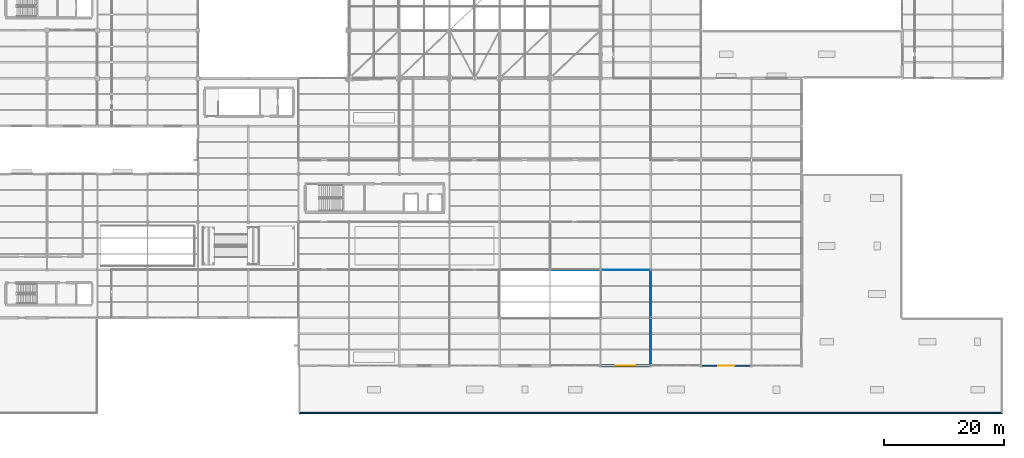
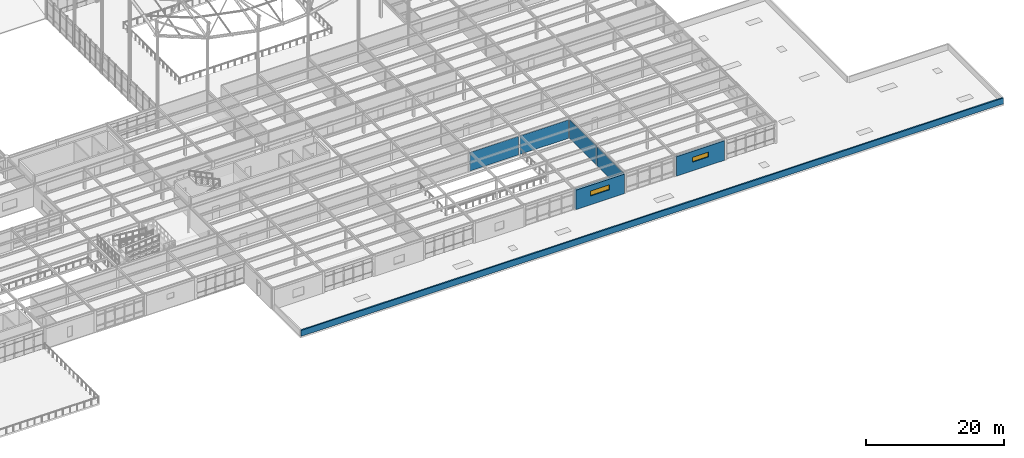
# One storey, part 71 of 138: 7 walls, 2 windows, 2 openings.
"""IFC4 building model written with IfcOpenShell, lengths in metres."""

import ifcopenshell
import ifcopenshell.guid

model = None  # the IFC model being written
_history = None  # IfcOwnerHistory: only IFC2X3 demands one
_inside = {}  # id of a spatial element -> (the spatial element, [elements in it])
_under = {}  # id of a project, library or spatial element -> (it, [spatial elements below it])
_declared = {}  # id of a project -> (the project, [libraries it declares])
_typed = {}  # id of a type object -> (the type object, [elements of that type])
_made_of = {}  # id of a material, layer set ... -> (it, [elements and type objects made of it])


def new_model(schema):
    """Start an empty IFC model of exactly this schema.

    Asked for "IFC4X3", IfcOpenShell would pick the latest addendum, in which some entities
    have other attributes; the version numbers below select the first issue.
    IFC2X3 requires an IfcOwnerHistory on every rooted entity: one is made here for all.
    """
    global model, _history
    if schema == "IFC4X3":
        model = ifcopenshell.file(schema_version=(4, 3, 0, 0))
    else:
        model = ifcopenshell.file(schema=schema)
    _inside.clear()
    _under.clear()
    _declared.clear()
    _typed.clear()
    _made_of.clear()
    _history = None
    if model.schema == "IFC2X3":
        org = make("IfcOrganization", Name="unknown")
        user = make(
            "IfcPersonAndOrganization",
            ThePerson=make("IfcPerson", FamilyName="unknown"),
            TheOrganization=org,
        )
        app = make(
            "IfcApplication",
            ApplicationDeveloper=org,
            Version="unknown",
            ApplicationFullName="unknown",
            ApplicationIdentifier="unknown",
        )
        _history = make(
            "IfcOwnerHistory",
            OwningUser=user,
            OwningApplication=app,
            ChangeAction="ADDED",
            CreationDate=0,
        )
    return model


def make(cls, **values):
    """One entity of the class cls with the attributes given. An attribute that is None is left unset."""
    return model.create_entity(
        cls, **{name: value for name, value in values.items() if value is not None}
    )


def rooted(cls, **values):
    """An entity with a GlobalId (a new one), such as an element, a storey or a relation."""
    return make(cls, GlobalId=ifcopenshell.guid.new(), OwnerHistory=_history, **values)


def si_unit(unit_type, name, prefix=None):
    """IfcSIUnit, for example si_unit("LENGTHUNIT", "METRE", prefix="MILLI")."""
    return make("IfcSIUnit", UnitType=unit_type, Prefix=prefix, Name=name)


def assignment(units):
    """IfcUnitAssignment: the units of a project."""
    return None if units is None else make("IfcUnitAssignment", Units=units)


def point(xyz):
    """IfcCartesianPoint."""
    return None if xyz is None else make("IfcCartesianPoint", Coordinates=xyz)


def direction(xyz):
    """IfcDirection."""
    return None if xyz is None else make("IfcDirection", DirectionRatios=xyz)


def frame(location, z_axis=None, x_axis=None):
    """IfcAxis2Placement3D, a coordinate frame: its origin and axes. An axis left out is left unset."""
    return make(
        "IfcAxis2Placement3D",
        Location=point(location),
        Axis=direction(z_axis),
        RefDirection=direction(x_axis),
    )


def frame_2d(location, x_axis=None):
    """IfcAxis2Placement2D, a coordinate frame in the plane: its origin and x axis."""
    return make(
        "IfcAxis2Placement2D", Location=point(location), RefDirection=direction(x_axis)
    )


def origin():
    """The frame at (0, 0, 0) with its axes left unset."""
    return frame((0.0, 0.0, 0.0))


def place(relative_to, where):
    """IfcLocalPlacement: puts the frame where relative to a parent placement (None: the world)."""
    return make(
        "IfcLocalPlacement", PlacementRelTo=relative_to, RelativePlacement=where
    )


def context(
    kind, dimensions, precision=None, world=None, true_north=None, identifier=None
):
    """IfcGeometricRepresentationContext, for example the 3D "Model" context."""
    return make(
        "IfcGeometricRepresentationContext",
        ContextIdentifier=identifier,
        ContextType=kind,
        CoordinateSpaceDimension=dimensions,
        Precision=precision,
        WorldCoordinateSystem=world,
        TrueNorth=true_north,
    )


def subcontext(parent, identifier, kind, view, scale=None):
    """IfcGeometricRepresentationSubContext, for example "Body" below "Model"."""
    return make(
        "IfcGeometricRepresentationSubContext",
        ContextIdentifier=identifier,
        ContextType=kind,
        ParentContext=parent,
        TargetScale=scale,
        TargetView=view,
    )


def project(units=None, contexts=None):
    """IfcProject with its units and contexts."""
    return rooted(
        "IfcProject",
        Name="project",
        RepresentationContexts=contexts,
        UnitsInContext=assignment(units),
    )


def spatial(cls, under=None, at=None, **own):
    """A site, building, storey or space (cls), placed at a placement, below another one or the project."""
    s = rooted(cls, ObjectPlacement=at, **own)
    if under is not None:
        _under.setdefault(under.id(), (under, []))[1].append(s)
    return s


def profile(cls, at=None, kind="AREA", **sizes):
    """A parametric profile (cls). Its sizes go by their IFC names, for example OverallWidth=200.0."""
    return make(cls, ProfileType=kind, Position=at, **sizes)


def rectangle(**sizes):
    """IfcRectangleProfileDef."""
    return profile("IfcRectangleProfileDef", **sizes)


def extrude(swept, where, along, depth):
    """IfcExtrudedAreaSolid: the profile swept, set in the frame where, extruded along a direction by depth."""
    return make(
        "IfcExtrudedAreaSolid",
        SweptArea=swept,
        Position=where,
        ExtrudedDirection=direction(along),
        Depth=depth,
    )


def shape(context_of_items, identifier, shape_type, items):
    """IfcShapeRepresentation: the items that make up one representation, for example the "Body"."""
    return make(
        "IfcShapeRepresentation",
        ContextOfItems=context_of_items,
        RepresentationIdentifier=identifier,
        RepresentationType=shape_type,
        Items=items,
    )


def material(Name=None, Category=None):
    """IfcMaterial."""
    return make("IfcMaterial", Name=Name, Category=Category)


def layer(
    of_material, thickness, ventilated=None, Name=None, Category=None, Priority=None
):
    """IfcMaterialLayer: one layer of a wall or slab, of a material (None: an air gap)."""
    return make(
        "IfcMaterialLayer",
        Material=of_material,
        LayerThickness=thickness,
        IsVentilated=ventilated,
        Name=Name,
        Category=Category,
        Priority=Priority,
    )


def layer_set(layers, Name=None):
    """IfcMaterialLayerSet."""
    return make("IfcMaterialLayerSet", MaterialLayers=layers, LayerSetName=Name)


def made_of(thing, what):
    """Note that an element or type object is made of a material, layer set ...; save() writes the relation."""
    if what is not None:
        _made_of.setdefault(what.id(), (what, []))[1].append(thing)
    return thing


def type_object(cls, material=None, **own):
    """A type object (cls), such as IfcWallType, which elements share."""
    return made_of(rooted(cls, **own), material)


def element(
    cls,
    number,
    at=None,
    inside=None,
    cuts=None,
    type_object=None,
    material=None,
    context=None,
    identifier="Body",
    shape_type=None,
    held_by="IfcProductDefinitionShape",
    body=None,
    shapes=None,
    **own,
):
    """One element of the class cls, such as IfcWall. Its Tag is "e" and its number.

    at: its placement. inside: the storey or other place that contains it. cuts: it is an
    opening in that element (IfcRelVoidsElement). A single representation is given by context,
    identifier, shape_type and body (its items); several are given by shapes. held_by: the class
    of the entity that holds the representations. save() writes the other relations.
    """
    e = rooted(cls, Tag="e%d" % number, ObjectPlacement=at, **own)
    if body is not None:
        shapes = [shape(context, identifier, shape_type, body)]
    if shapes is not None:
        e.Representation = make(held_by, Representations=shapes)
    if inside is not None:
        _inside.setdefault(inside.id(), (inside, []))[1].append(e)
    if cuts is not None:
        rooted(
            "IfcRelVoidsElement", RelatingBuildingElement=cuts, RelatedOpeningElement=e
        )
    if type_object is not None:
        _typed.setdefault(type_object.id(), (type_object, []))[1].append(e)
    return made_of(e, material)


def fill(opening, filler):
    """IfcRelFillsElement: the door or window that sits in an opening."""
    return rooted(
        "IfcRelFillsElement",
        RelatingOpeningElement=opening,
        RelatedBuildingElement=filler,
    )


def aggregate(whole, parts):
    """IfcRelAggregates: a whole, such as a stair, and the parts it consists of."""
    return rooted("IfcRelAggregates", RelatingObject=whole, RelatedObjects=parts)


def save(model, path):
    """Write the relations noted so far, then the file.

    IfcRelAggregates (storeys below a building ...), IfcRelContainedInSpatialStructure (elements
    in a storey), IfcRelDefinesByType, IfcRelAssociatesMaterial and IfcRelDeclares: one each for
    every whole, place, type object, material and project.
    """
    for whole, parts in _under.values():
        aggregate(whole, parts)
    for where, things in _inside.values():
        rooted(
            "IfcRelContainedInSpatialStructure",
            RelatedElements=things,
            RelatingStructure=where,
        )
    for kind, things in _typed.values():
        rooted("IfcRelDefinesByType", RelatedObjects=things, RelatingType=kind)
    for what, things in _made_of.values():
        rooted("IfcRelAssociatesMaterial", RelatedObjects=things, RelatingMaterial=what)
    for by, libraries in _declared.values():
        rooted("IfcRelDeclares", RelatingContext=by, RelatedDefinitions=libraries)
    model.write(path)


model = new_model("IFC4")

# Units and contexts
model_context = context("Model", 3, precision=1e-05, world=origin(), true_north=direction((0.0, 1.0)))
body_context = subcontext(model_context, "Body", "Model", "MODEL_VIEW")
ifc_project = project(units=[si_unit("LENGTHUNIT", "METRE"), si_unit("AREAUNIT", "SQUARE_METRE"), si_unit("VOLUMEUNIT", "CUBIC_METRE"), si_unit("PLANEANGLEUNIT", "RADIAN"), si_unit("MASSUNIT", "GRAM", prefix="KILO")], contexts=[model_context])

# Site, building, storey
site_placement = place(None, origin())
site = spatial("IfcSite", under=ifc_project, at=site_placement, CompositionType="ELEMENT")
building_placement = place(site_placement, origin())
building = spatial("IfcBuilding", under=site, at=building_placement, Name="Kranzveld Transit Interchange", CompositionType="ELEMENT")
storey_placement = place(building_placement, frame((0.0, 0.0, 5.43994140625)))
storey = spatial("IfcBuildingStorey", under=building, at=storey_placement, Name="L01", CompositionType="ELEMENT", Elevation=5.43994140625)

# Wall, opening, window
ifc_material_1 = material(Name="Pretoria red-purple clinker clay face brick, 35 MPa", Category="masonry")
ifc_layer_1 = layer(ifc_material_1, 0.3798828125)
ifc_layer_set_1 = layer_set([ifc_layer_1], Name="Pretoria red-purple clinker clay face brick, 35 MPa")
wall_type_1 = type_object("IfcWallType", Name="Exterior Cavity Wall Red Clinker 380", PredefinedType="SOLIDWALL", material=ifc_layer_set_1)
wall_1_placement = place(storey_placement, frame((100.95458984375, 8.0, 0.0), z_axis=(0.0, 0.0, 1.0), x_axis=(1.0, 0.0, 0.0)))
wall_1 = element("IfcWall", 1, at=wall_1_placement, inside=storey, type_object=wall_type_1, Name="L01 Clinker Facade Wall 13/B-14/B", PredefinedType="SOLIDWALL", context=body_context, shape_type="SweptSolid", body=[
    extrude(rectangle(XDim=8.0908203125, YDim=0.3798828125, at=frame_2d((4.04541015625, 0.0))), origin(), (0.0, 0.0, 1.0), 3.449951171875),
])
opening_1_placement = place(wall_1_placement, frame((2.4453125, 0.0, 1.550048828125), z_axis=(0.0, 0.0, 1.0), x_axis=(1.0, 0.0, 0.0)))
opening_1 = element("IfcOpeningElement", 2, at=opening_1_placement, cuts=wall_1, Name="Opening W-14", PredefinedType="OPENING", context=body_context, shape_type="SweptSolid", body=[
    extrude(rectangle(XDim=3.199951171875, YDim=0.89990234375, at=frame_2d((1.60009765625, 0.449951171875))), frame((0.0, 0.199951171875, 0.0), z_axis=(0.0, -1.0, 0.0), x_axis=(1.0, 0.0, 0.0)), (0.0, 0.0, 1.0), 0.39990234375),
])
ifc_material_2 = material(Name="Solar-control double glazing", Category="glass")
window_type_1 = type_object("IfcWindowType", Name="Window Clerestory 3200x900", PartitioningType="TRIPLE_PANEL_HORIZONTAL", PredefinedType="WINDOW", material=ifc_material_2)
window_1_placement = place(opening_1_placement, origin())
window_1 = element("IfcWindow", 3, at=window_1_placement, inside=storey, type_object=window_type_1, Name="L01 Facade Window 13/B", OverallHeight=0.89990234375, OverallWidth=3.199951171875, PartitioningType="TRIPLE_PANEL_HORIZONTAL", PredefinedType="WINDOW", context=body_context, shape_type="SweptSolid", body=[
    extrude(rectangle(XDim=3.199951171875, YDim=0.89990234375, at=frame_2d((1.60009765625, 0.449951171875))), frame((0.0, 0.030029296875, 0.0), z_axis=(0.0, -1.0, 0.0), x_axis=(1.0, 0.0, 0.0)), (0.0, 0.0, 1.0), 0.06005859375),
])
fill(opening_1, window_1)

ifc_material_3 = material(Name="Ochre Pretoria sandstone cladding, 45 MPa", Category="masonry")
ifc_layer_2 = layer(ifc_material_3, 0.300048828125)
ifc_layer_set_2 = layer_set([ifc_layer_2], Name="Ochre Pretoria sandstone cladding, 45 MPa")
wall_type_2 = type_object("IfcWallType", Name="Exterior Sandstone Spandrel Wall 300", PredefinedType="SOLIDWALL", material=ifc_layer_set_2)
wall_2_placement = place(storey_placement, frame((117.754638671875, 8.0, 0.0), z_axis=(0.0, 0.0, 1.0), x_axis=(1.0, 0.0, 0.0)))
wall_2 = element("IfcWall", 4, at=wall_2_placement, inside=storey, type_object=wall_type_2, Name="L01 Clinker Facade Wall 15/B-16/B", PredefinedType="SOLIDWALL", context=body_context, shape_type="SweptSolid", body=[
    extrude(rectangle(XDim=8.0908203125, YDim=0.300048828125, at=frame_2d((4.04541015625, 0.0))), origin(), (0.0, 0.0, 1.0), 3.449951171875),
])
opening_2_placement = place(wall_2_placement, frame((2.745361328125, 0.0, 1.550048828125), z_axis=(0.0, 0.0, 1.0), x_axis=(1.0, 0.0, 0.0)))
opening_2 = element("IfcOpeningElement", 5, at=opening_2_placement, cuts=wall_2, Name="Opening W-15", PredefinedType="OPENING", context=body_context, shape_type="SweptSolid", body=[
    extrude(rectangle(XDim=2.60009765625, YDim=0.85009765625, at=frame_2d((1.300048828125, 0.425048828125))), frame((0.0, 0.159912109375, 0.0), z_axis=(0.0, -1.0, 0.0), x_axis=(1.0, 0.0, 0.0)), (0.0, 0.0, 1.0), 0.320068359375),
])
ifc_material_4 = material(Name="Solar-control double glazing", Category="glass")
window_type_2 = type_object("IfcWindowType", Name="Window Clerestory 2600x850", PartitioningType="DOUBLE_PANEL_HORIZONTAL", PredefinedType="WINDOW", material=ifc_material_4)
window_2_placement = place(opening_2_placement, origin())
window_2 = element("IfcWindow", 6, at=window_2_placement, inside=storey, type_object=window_type_2, Name="L01 Facade Window 15/B", OverallHeight=0.85009765625, OverallWidth=2.60009765625, PartitioningType="DOUBLE_PANEL_HORIZONTAL", PredefinedType="WINDOW", context=body_context, shape_type="SweptSolid", body=[
    extrude(rectangle(XDim=2.60009765625, YDim=0.85009765625, at=frame_2d((1.300048828125, 0.425048828125))), frame((0.0, 0.030029296875, 0.0), z_axis=(0.0, -1.0, 0.0), x_axis=(1.0, 0.0, 0.0)), (0.0, 0.0, 1.0), 0.06005859375),
])
fill(opening_2, window_2)

# Walls
ifc_material_5 = material(Name="Clay masonry unit wall, 20 MPa", Category="masonry")
ifc_layer_3 = layer(ifc_material_5, 0.114990234375)
ifc_layer_set_3 = layer_set([ifc_layer_3], Name="Clay masonry unit wall, 20 MPa")
wall_type_3 = type_object("IfcWallType", Name="Internal Masonry Partition 115", PredefinedType="PARTITIONING", material=ifc_layer_set_3)
for number, where, z_axis, x_axis, name in (
    (7, (92.544677734375, 24.0, 0.0), (0.0, 0.0, 1.0), (1.0, 0.0, 0.0), "L01 Partition IW-L01-L01V2N-BCK-132-0"),
    (8, (100.944580078125, 24.0, 0.0), (0.0, 0.0, 1.0), (1.0, 0.0, 0.0), "L01 Partition IW-L01-L01V2N-BCK-132-1"),
):
    element("IfcWall", number, at=place(storey_placement, frame(where, z_axis=z_axis, x_axis=x_axis)), inside=storey, type_object=wall_type_3, Name=name, PredefinedType="PARTITIONING", context=body_context, shape_type="SweptSolid", body=[
        extrude(rectangle(XDim=8.11083984375, YDim=0.114990234375, at=frame_2d((4.055419921875, 0.0))), origin(), (0.0, 0.0, 1.0), 3.260498046875),
    ])
for number, where, z_axis, x_axis, name in (
    (9, (109.199951171875, 8.150390625, 0.0), (0.0, 0.0, 1.0), (0.0, 1.0, 0.0), "L01 Partition IW-L01-L01V2S-E-110-0"),
    (10, (109.199951171875, 16.150390625, 0.0), (0.0, 0.0, 1.0), (0.0, 1.0, 0.0), "L01 Partition IW-L01-L01V2S-E-110-1"),
):
    element("IfcWall", number, at=place(storey_placement, frame(where, z_axis=z_axis, x_axis=x_axis)), inside=storey, type_object=wall_type_3, Name=name, PredefinedType="PARTITIONING", context=body_context, shape_type="SweptSolid", body=[
        extrude(rectangle(XDim=7.69921875, YDim=0.114990234375, at=frame_2d((3.849609375, 0.0))), origin(), (0.0, 0.0, 1.0), 3.336669921875),
    ])
ifc_material_6 = material(Name="Pretoria red-purple clinker clay face brick, 35 MPa", Category="masonry")
ifc_layer_4 = layer(ifc_material_6, 0.22998046875)
ifc_layer_set_4 = layer_set([ifc_layer_4], Name="Pretoria red-purple clinker clay face brick, 35 MPa")
wall_type_4 = type_object("IfcWallType", Name="Roof Parapet Wall Clinker Brick 230", PredefinedType="PARAPET", material=ifc_layer_set_4)
wall_3_placement = place(storey_placement, frame((167.8798828125, 0.1201171875, 0.0), z_axis=(0.0, 0.0, 1.0), x_axis=(-1.0, 0.0, 0.0)))
element("IfcWall", 11, at=wall_3_placement, inside=storey, type_object=wall_type_4, Name="L01 Roof Parapet 006", PredefinedType="PARAPET", context=body_context, shape_type="SweptSolid", body=[
    extrude(rectangle(XDim=117.35986328125, YDim=0.22998046875, at=frame_2d((58.679931640625, 0.0))), origin(), (0.0, 0.0, 1.0), 1.050048828125),
])

save(model, "model.ifc")
